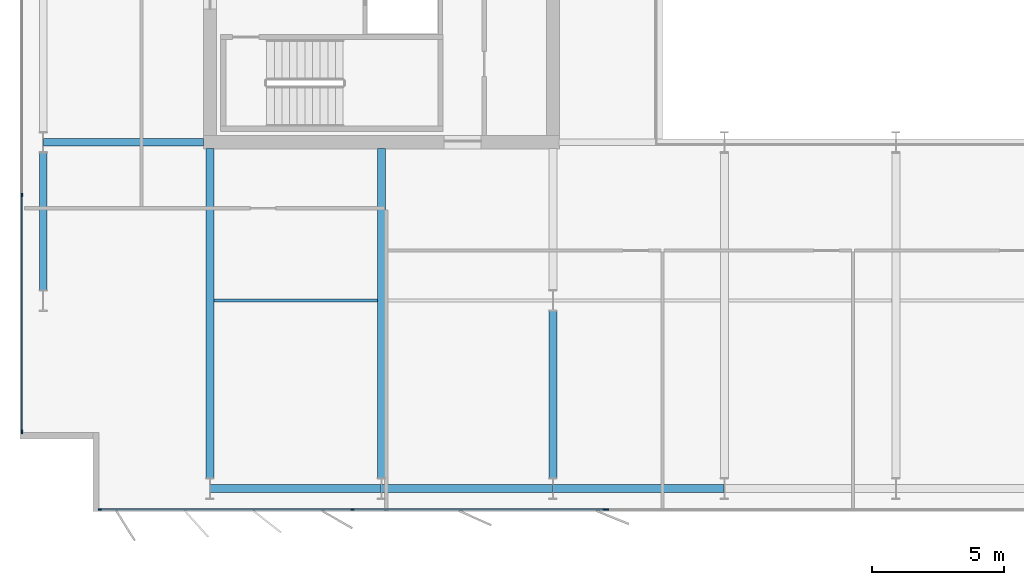
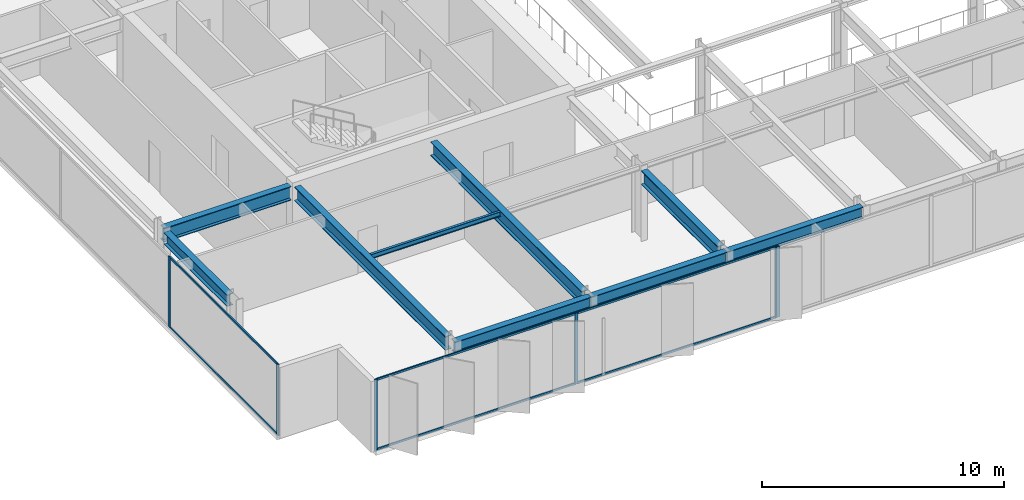
# One storey, part 3 of 23: 12 members, 9 beams, 3 elements without a shape of their own.
"""IFC4 building model written with IfcOpenShell, lengths in metres."""

from ifc_helpers import new_model, si_unit, direction, frame, origin, origin_2d, place, context, subcontext, project, spatial, rectangle, i_section, extrude, material, layer, layer_set, material_profile, profile_set, type_object, element, aggregate, save


model = new_model("IFC4")

# Units and contexts
model_context = context("Model", 3, precision=1e-05, world=origin(), true_north=direction((0.0, 1.0)))
body_context = subcontext(model_context, "Body", "Model", "MODEL_VIEW")
ifc_project = project(units=[si_unit("LENGTHUNIT", "METRE"), si_unit("AREAUNIT", "SQUARE_METRE"), si_unit("VOLUMEUNIT", "CUBIC_METRE"), si_unit("PLANEANGLEUNIT", "RADIAN"), si_unit("MASSUNIT", "GRAM", prefix="KILO")], contexts=[model_context])

# Site, building, storey
site_placement = place(None, origin())
site = spatial("IfcSite", under=ifc_project, at=site_placement, CompositionType="ELEMENT")
building_placement = place(site_placement, origin())
building = spatial("IfcBuilding", under=site, at=building_placement, Name="Putna Gate Headquarters", CompositionType="ELEMENT")
storey_placement = place(building_placement, frame((0.0, 0.0, 206.199951171875)))
storey = spatial("IfcBuildingStorey", under=building, at=storey_placement, Name="L51", CompositionType="ELEMENT", Elevation=206.199951171875)

# Beams
ifc_material_1 = material(Name="Steel S355J2", Category="steel")
ifc_material_profile_1 = material_profile(ifc_material_1, i_section(OverallWidth=0.300048828125, OverallDepth=0.699951171875, WebThickness=0.01708984375, FlangeThickness=0.031982421875, at=origin_2d()), Name="Steel S355J2")
ifc_profile_set_1 = profile_set([ifc_material_profile_1], Name="Steel S355J2")
beam_type_1 = type_object("IfcBeamType", Name="BM-GIRD-B-HEB700", PredefinedType="USERDEFINED", material=ifc_profile_set_1)
beam_1_placement = place(storey_placement, frame((6.68603515625, 19.0, 3.22998046875), z_axis=(1.0, 0.0, 0.0), x_axis=(0.0, 1.0, 0.0)))
element("IfcBeam", 1, at=beam_1_placement, inside=storey, type_object=beam_type_1, Name="L51 West Wing Girder Y19", ObjectType="GIRDER", PredefinedType="USERDEFINED", context=body_context, shape_type="SweptSolid", body=[
    extrude(i_section(OverallWidth=0.300048828125, OverallDepth=0.699951171875, WebThickness=0.01708984375, FlangeThickness=0.031982421875, at=origin_2d()), origin(), (0.0, 0.0, 1.0), 6.078857421875),
])
for number, where, z_axis, x_axis, name in (
    (2, (13.0, 6.27490234375, 3.22998046875), (0.0, 1.0, 0.0), (-1.0, 0.0, 0.0), "L51 South Primary Girder X13"),
    (3, (19.5, 6.27490234375, 3.22998046875), (0.0, 1.0, 0.0), (-1.0, 0.0, 0.0), "L51 South Primary Girder X19"),
):
    element("IfcBeam", number, at=place(storey_placement, frame(where, z_axis=z_axis, x_axis=x_axis)), inside=storey, type_object=beam_type_1, Name=name, ObjectType="GIRDER", PredefinedType="USERDEFINED", context=body_context, shape_type="SweptSolid", body=[
        extrude(i_section(OverallWidth=0.300048828125, OverallDepth=0.699951171875, WebThickness=0.01708984375, FlangeThickness=0.031982421875, at=origin_2d()), origin(), (0.0, 0.0, 1.0), 12.489990234375),
    ])
beam_2_placement = place(storey_placement, frame((26.0, 6.27490234375, 3.22998046875), z_axis=(0.0, 1.0, 0.0), x_axis=(-1.0, 0.0, 0.0)))
element("IfcBeam", 4, at=beam_2_placement, inside=storey, type_object=beam_type_1, Name="L51 South Primary Girder X26-1", ObjectType="GIRDER", PredefinedType="USERDEFINED", context=body_context, shape_type="SweptSolid", body=[
    extrude(i_section(OverallWidth=0.300048828125, OverallDepth=0.699951171875, WebThickness=0.01708984375, FlangeThickness=0.031982421875, at=origin_2d()), origin(), (0.0, 0.0, 1.0), 6.330078125),
])
ifc_material_profile_2 = material_profile(ifc_material_1, i_section(OverallWidth=0.1201171875, OverallDepth=0.239990234375, WebThickness=0.006103515625, FlangeThickness=0.009765625, at=origin_2d()), Name="Steel S355J2")
ifc_profile_set_2 = profile_set([ifc_material_profile_2], Name="Steel S355J2")
beam_type_2 = type_object("IfcBeamType", Name="BM-SEC-Z4-IPE240", PredefinedType="JOIST", material=ifc_profile_set_2)
beam_3_placement = place(storey_placement, frame((13.154052734375, 13.0, 3.4599609375), z_axis=(1.0, 0.0, 0.0), x_axis=(0.0, 1.0, 0.0)))
element("IfcBeam", 5, at=beam_3_placement, inside=storey, type_object=beam_type_2, Name="L51 South Secondary Beam 1", PredefinedType="JOIST", context=body_context, shape_type="SweptSolid", body=[
    extrude(i_section(OverallWidth=0.1201171875, OverallDepth=0.239990234375, WebThickness=0.006103515625, FlangeThickness=0.009765625, at=origin_2d()), origin(), (0.0, 0.0, 1.0), 6.19189453125),
])
ifc_material_profile_3 = material_profile(ifc_material_1, i_section(OverallWidth=0.300048828125, OverallDepth=0.590087890625, WebThickness=0.012939453125, FlangeThickness=0.02490234375, at=origin_2d()), Name="Steel S355J2")
ifc_profile_set_3 = profile_set([ifc_material_profile_3], Name="Steel S355J2")
beam_type_3 = type_object("IfcBeamType", Name="BM-SPAN-Z4-HEA600", PredefinedType="SPANDREL", material=ifc_profile_set_3)
for number, where, z_axis, x_axis, name in (
    (6, (13.006103515625, 5.8798828125, 3.28515625), (1.0, 0.0, 0.0), (0.0, 1.0, 0.0), "L51 S Perimeter Spandrel 1"),
    (7, (19.506103515625, 5.8798828125, 3.28515625), (1.0, 0.0, 0.0), (0.0, 1.0, 0.0), "L51 S Perimeter Spandrel 2"),
    (8, (26.006103515625, 5.8798828125, 3.28515625), (1.0, 0.0, 0.0), (0.0, 1.0, 0.0), "L51 S Perimeter Spandrel 3"),
):
    element("IfcBeam", number, at=place(storey_placement, frame(where, z_axis=z_axis, x_axis=x_axis)), inside=storey, type_object=beam_type_3, Name=name, PredefinedType="SPANDREL", context=body_context, shape_type="SweptSolid", body=[
        extrude(i_section(OverallWidth=0.300048828125, OverallDepth=0.590087890625, WebThickness=0.012939453125, FlangeThickness=0.02490234375, at=origin_2d()), origin(), (0.0, 0.0, 1.0), 6.48779296875),
    ])
beam_4_placement = place(storey_placement, frame((6.679931640625, 13.39501953125, 3.28515625), z_axis=(0.0, 1.0, 0.0), x_axis=(-1.0, 0.0, 0.0)))
element("IfcBeam", 9, at=beam_4_placement, inside=storey, type_object=beam_type_3, Name="L51 W End Spandrel 1", PredefinedType="SPANDREL", context=body_context, shape_type="SweptSolid", body=[
    extrude(i_section(OverallWidth=0.300048828125, OverallDepth=0.590087890625, WebThickness=0.012939453125, FlangeThickness=0.02490234375, at=origin_2d()), origin(), (0.0, 0.0, 1.0), 5.2099609375),
])

# Curtain wall, members
ifc_material_2 = material(Name="Anodised bronze aluminium curtain wall", Category="aluminium")
ifc_layer_1 = layer(ifc_material_2, 0.139892578125)
ifc_layer_set_1 = layer_set([ifc_layer_1], Name="Anodised bronze aluminium curtain wall")
curtain_wall_type_1 = type_object("IfcCurtainWallType", Name="CW-SYS-Z4", PredefinedType="USERDEFINED", material=ifc_layer_set_1)
curtain_wall_1_placement = place(storey_placement, origin())
curtain_wall_1 = element("IfcCurtainWall", 10, at=curtain_wall_1_placement, inside=storey, type_object=curtain_wall_type_1, Name="L51 South West Curtain Wall", ObjectType="STICK CURTAIN WALL", PredefinedType="USERDEFINED")
ifc_material_3 = material(Name="Anodised bronze aluminium EN AW-6060", Category="aluminium")
ifc_material_profile_4 = material_profile(ifc_material_3, rectangle(XDim=0.06005859375, YDim=0.139892578125, at=origin_2d()), Name="Anodised bronze aluminium EN AW-6060")
ifc_profile_set_4 = profile_set([ifc_material_profile_4], Name="Anodised bronze aluminium EN AW-6060")
member_type_1 = type_object("IfcMemberType", Name="MULL-CWM-4", PredefinedType="MULLION", material=ifc_profile_set_4)
member_1_placement = place(storey_placement, frame((8.830078125, 5.080078125, 0.0), z_axis=(0.0, 0.0, 1.0), x_axis=(0.0, 1.0, 0.0)))
member_1 = element("IfcMember", 11, at=member_1_placement, type_object=member_type_1, Name="CWS-4 mullion 1", PredefinedType="MULLION", context=body_context, shape_type="SweptSolid", body=[
    extrude(rectangle(XDim=0.06005859375, YDim=0.139892578125, at=origin_2d()), origin(), (0.0, 0.0, 1.0), 3.580078125),
])
member_2_placement = place(storey_placement, frame((18.39990234375, 5.080078125, 0.0), z_axis=(0.0, 0.0, 1.0), x_axis=(0.0, 1.0, 0.0)))
member_2 = element("IfcMember", 12, at=member_2_placement, type_object=member_type_1, Name="CWS-4 mullion 2", PredefinedType="MULLION", context=body_context, shape_type="SweptSolid", body=[
    extrude(rectangle(XDim=0.06005859375, YDim=0.139892578125, at=origin_2d()), origin(), (0.0, 0.0, 1.0), 3.580078125),
])
member_3_placement = place(storey_placement, frame((27.969970703125, 5.080078125, 0.0), z_axis=(0.0, 0.0, 1.0), x_axis=(0.0, 1.0, 0.0)))
member_3 = element("IfcMember", 13, at=member_3_placement, type_object=member_type_1, Name="CWS-4 mullion 3", PredefinedType="MULLION", context=body_context, shape_type="SweptSolid", body=[
    extrude(rectangle(XDim=0.06005859375, YDim=0.139892578125, at=origin_2d()), origin(), (0.0, 0.0, 1.0), 3.580078125),
])

curtain_wall_2_placement = place(storey_placement, origin())
curtain_wall_2 = element("IfcCurtainWall", 14, at=curtain_wall_2_placement, inside=storey, type_object=curtain_wall_type_1, Name="L51 West Curtain Wall", ObjectType="STICK CURTAIN WALL", PredefinedType="USERDEFINED")
member_4_placement = place(storey_placement, frame((5.8798828125, 8.030029296875, 0.0), z_axis=(0.0, 0.0, 1.0), x_axis=(-1.0, 0.0, 0.0)))
member_4 = element("IfcMember", 15, at=member_4_placement, type_object=member_type_1, Name="CWS-4 mullion 1", PredefinedType="MULLION", context=body_context, shape_type="SweptSolid", body=[
    extrude(rectangle(XDim=0.06005859375, YDim=0.139892578125, at=origin_2d()), origin(), (0.0, 0.0, 1.0), 3.580078125),
])
member_5_placement = place(storey_placement, frame((5.8798828125, 17.0, 0.0), z_axis=(0.0, 0.0, 1.0), x_axis=(-1.0, 0.0, 0.0)))
member_5 = element("IfcMember", 16, at=member_5_placement, type_object=member_type_1, Name="CWS-4 mullion 2", PredefinedType="MULLION", context=body_context, shape_type="SweptSolid", body=[
    extrude(rectangle(XDim=0.06005859375, YDim=0.139892578125, at=origin_2d()), origin(), (0.0, 0.0, 1.0), 3.580078125),
])

# Curtain wall, member
ifc_layer_2 = layer(ifc_material_2, 0.179931640625)
ifc_layer_set_2 = layer_set([ifc_layer_2], Name="Anodised bronze aluminium curtain wall")
curtain_wall_type_2 = type_object("IfcCurtainWallType", Name="CW-SYS-ATR", PredefinedType="USERDEFINED", material=ifc_layer_set_2)
curtain_wall_3_placement = place(storey_placement, origin())
curtain_wall_3 = element("IfcCurtainWall", 17, at=curtain_wall_3_placement, inside=storey, type_object=curtain_wall_type_2, Name="L51 South Atrium Clear Glazing", ObjectType="ATRIUM GLAZING", PredefinedType="USERDEFINED")
ifc_material_profile_5 = material_profile(ifc_material_3, rectangle(XDim=0.070068359375, YDim=0.179931640625, at=origin_2d()), Name="Anodised bronze aluminium EN AW-6060")
ifc_profile_set_5 = profile_set([ifc_material_profile_5], Name="Anodised bronze aluminium EN AW-6060")
member_type_2 = type_object("IfcMemberType", Name="MULL-CWM-AT", PredefinedType="MULLION", material=ifc_profile_set_5)
member_6_placement = place(storey_placement, frame((28.034912109375, 5.080078125, 0.0), z_axis=(0.0, 0.0, 1.0), x_axis=(0.0, 1.0, 0.0)))
member_6 = element("IfcMember", 18, at=member_6_placement, type_object=member_type_2, Name="CWS-AT mullion 1", PredefinedType="MULLION", context=body_context, shape_type="SweptSolid", body=[
    extrude(rectangle(XDim=0.070068359375, YDim=0.179931640625, at=origin_2d()), origin(), (0.0, 0.0, 1.0), 3.580078125),
])
aggregate(curtain_wall_3, [member_6])

# Member
ifc_material_profile_6 = material_profile(ifc_material_3, rectangle(XDim=0.06005859375, YDim=0.10009765625, at=origin_2d()), Name="Anodised bronze aluminium EN AW-6060")
ifc_profile_set_6 = profile_set([ifc_material_profile_6], Name="Anodised bronze aluminium EN AW-6060")
member_type_3 = type_object("IfcMemberType", Name="TRAN-CWT-4", PredefinedType="USERDEFINED", material=ifc_profile_set_6)
member_7_placement = place(storey_placement, frame((8.860107421875, 5.080078125, 0.030029296875), z_axis=(1.0, 0.0, 0.0), x_axis=(0.0, 1.0, 0.0)))
member_7 = element("IfcMember", 19, at=member_7_placement, type_object=member_type_3, Name="CWS-4 transom 1.1", ObjectType="TRANSOM", PredefinedType="USERDEFINED", context=body_context, shape_type="SweptSolid", body=[
    extrude(rectangle(XDim=0.06005859375, YDim=0.10009765625, at=origin_2d()), origin(), (0.0, 0.0, 1.0), 9.510009765625),
])

member_8_placement = place(storey_placement, frame((8.860107421875, 5.080078125, 3.550048828125), z_axis=(1.0, 0.0, 0.0), x_axis=(0.0, 1.0, 0.0)))
member_8 = element("IfcMember", 20, at=member_8_placement, type_object=member_type_3, Name="CWS-4 transom 1.2", ObjectType="TRANSOM", PredefinedType="USERDEFINED", context=body_context, shape_type="SweptSolid", body=[
    extrude(rectangle(XDim=0.06005859375, YDim=0.10009765625, at=origin_2d()), origin(), (0.0, 0.0, 1.0), 9.510009765625),
])

member_9_placement = place(storey_placement, frame((18.429931640625, 5.080078125, 0.030029296875), z_axis=(1.0, 0.0, 0.0), x_axis=(0.0, 1.0, 0.0)))
member_9 = element("IfcMember", 21, at=member_9_placement, type_object=member_type_3, Name="CWS-4 transom 2.1", ObjectType="TRANSOM", PredefinedType="USERDEFINED", context=body_context, shape_type="SweptSolid", body=[
    extrude(rectangle(XDim=0.06005859375, YDim=0.10009765625, at=origin_2d()), origin(), (0.0, 0.0, 1.0), 9.510009765625),
])

member_10_placement = place(storey_placement, frame((18.429931640625, 5.080078125, 3.550048828125), z_axis=(1.0, 0.0, 0.0), x_axis=(0.0, 1.0, 0.0)))
member_10 = element("IfcMember", 22, at=member_10_placement, type_object=member_type_3, Name="CWS-4 transom 2.2", ObjectType="TRANSOM", PredefinedType="USERDEFINED", context=body_context, shape_type="SweptSolid", body=[
    extrude(rectangle(XDim=0.06005859375, YDim=0.10009765625, at=origin_2d()), origin(), (0.0, 0.0, 1.0), 9.510009765625),
])

aggregate(curtain_wall_1, [member_1, member_2, member_3, member_7, member_8, member_9, member_10])

member_11_placement = place(storey_placement, frame((5.8798828125, 8.06005859375, 0.030029296875), z_axis=(0.0, 1.0, 0.0), x_axis=(-1.0, 0.0, 0.0)))
member_11 = element("IfcMember", 23, at=member_11_placement, type_object=member_type_3, Name="CWS-4 transom 1.1", ObjectType="TRANSOM", PredefinedType="USERDEFINED", context=body_context, shape_type="SweptSolid", body=[
    extrude(rectangle(XDim=0.06005859375, YDim=0.10009765625, at=origin_2d()), origin(), (0.0, 0.0, 1.0), 8.909912109375),
])

member_12_placement = place(storey_placement, frame((5.8798828125, 8.06005859375, 3.550048828125), z_axis=(0.0, 1.0, 0.0), x_axis=(-1.0, 0.0, 0.0)))
member_12 = element("IfcMember", 24, at=member_12_placement, type_object=member_type_3, Name="CWS-4 transom 1.2", ObjectType="TRANSOM", PredefinedType="USERDEFINED", context=body_context, shape_type="SweptSolid", body=[
    extrude(rectangle(XDim=0.06005859375, YDim=0.10009765625, at=origin_2d()), origin(), (0.0, 0.0, 1.0), 8.909912109375),
])

aggregate(curtain_wall_2, [member_4, member_5, member_11, member_12])

save(model, "model.ifc")
